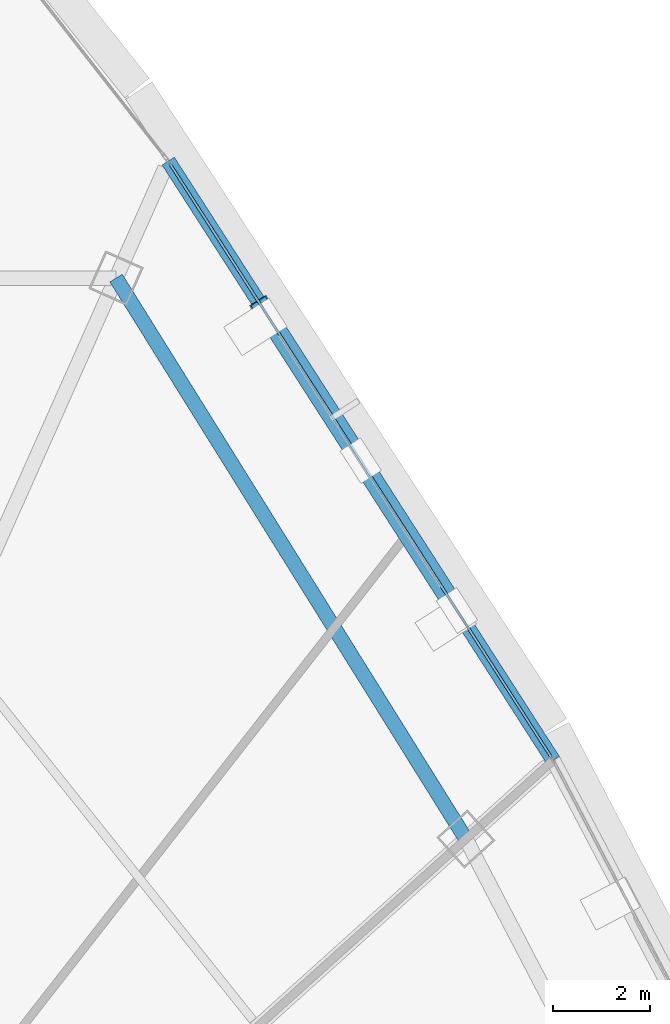
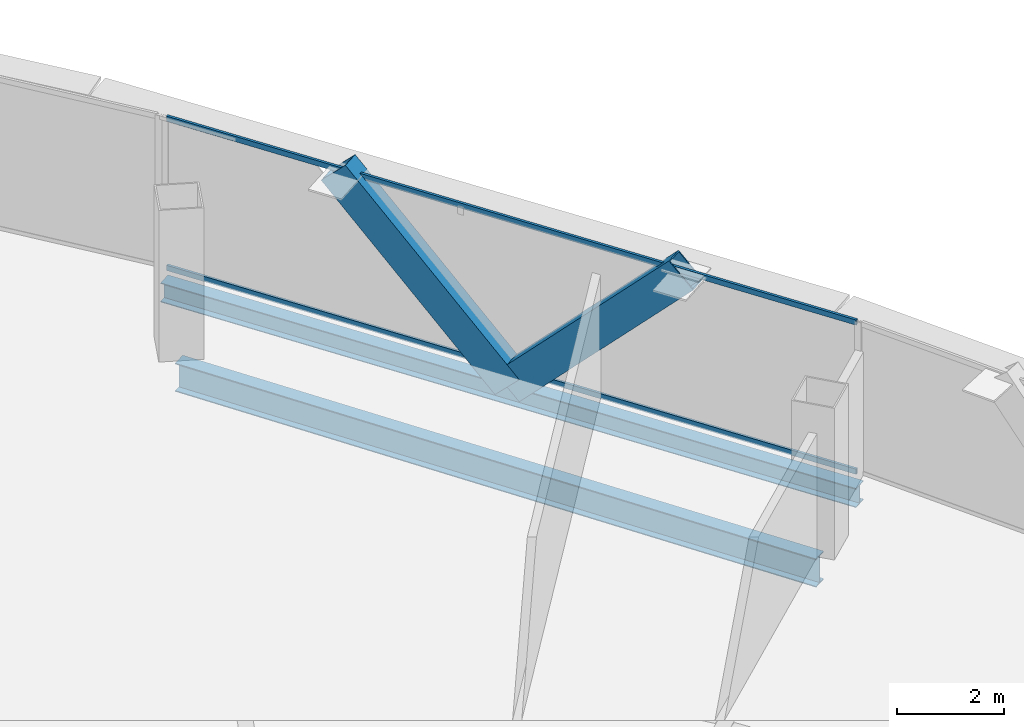
# One storey, part 22 of 36: 4 members, 2 beams, 1 element without a shape of its own.
"""IFC4 building model written with IfcOpenShell, lengths in metres."""

from ifc_helpers import new_model, si_unit, direction, frame, origin, origin_2d, place, context, subcontext, project, spatial, hollow_rectangle, i_section, extrude, source, transform, mapped, material, layer, layer_set, material_profile, profile_set, type_object, element, aggregate, save


model = new_model("IFC4")

# Units and contexts
model_context = context("Model", 3, precision=1e-05, world=origin(), true_north=direction((0.0, 1.0)))
body_context = subcontext(model_context, "Body", "Model", "MODEL_VIEW")
ifc_project = project(units=[si_unit("LENGTHUNIT", "METRE"), si_unit("AREAUNIT", "SQUARE_METRE"), si_unit("VOLUMEUNIT", "CUBIC_METRE"), si_unit("PLANEANGLEUNIT", "RADIAN"), si_unit("MASSUNIT", "GRAM", prefix="KILO"), si_unit("THERMODYNAMICTEMPERATUREUNIT", "KELVIN"), si_unit("POWERUNIT", "WATT")], contexts=[model_context])

# Site, building, storey
site_placement = place(None, origin())
site = spatial("IfcSite", under=ifc_project, at=site_placement, CompositionType="ELEMENT")
building_placement = place(site_placement, origin())
building = spatial("IfcBuilding", under=site, at=building_placement, Name="Yunzhuo Pagoda Commons", CompositionType="ELEMENT")
storey_placement = place(building_placement, frame((0.0, 0.0, 248.260009765625)))
storey = spatial("IfcBuildingStorey", under=building, at=storey_placement, Name="L62", CompositionType="ELEMENT", Elevation=248.260009765625)

# Beams
ifc_material_1 = material(Name="Structural steel Q355B", Category="steel")
ifc_material_profile_1 = material_profile(ifc_material_1, i_section(OverallWidth=0.300048828125, OverallDepth=0.64990234375, WebThickness=0.012939453125, FlangeThickness=0.02197265625, at=origin_2d()), Name="Structural steel Q355B")
ifc_profile_set_1 = profile_set([ifc_material_profile_1], Name="Structural steel Q355B")
beam_type_1 = type_object("IfcBeamType", Name="B-RG2 Beam HN 650x300x13x22", PredefinedType="BEAM", material=ifc_profile_set_1)
shared_shape_1 = source(origin(), body_context, "Body", "SweptSolid", [
    extrude(i_section(OverallWidth=0.300048828125, OverallDepth=0.64990234375, WebThickness=0.012939453125, FlangeThickness=0.02197265625, at=origin_2d()), origin(), (0.0, 0.0, 1.0), 13.615478515625),
])
beam_1_placement = place(storey_placement, frame((68.61181640625, 52.259033203125, -0.5849609375), z_axis=(-0.529178300485, 0.848510651846, 0.0), x_axis=(-0.848510651846, -0.529178300485, 0.0)))
element("IfcBeam", 1, at=beam_1_placement, inside=storey, type_object=beam_type_1, Name="L62 column-ring beam 7", PredefinedType="BEAM", context=body_context, shape_type="MappedRepresentation", body=[
    mapped(shared_shape_1, transform((0.0, 0.0, 0.0), scale=1.0)),
])
ifc_material_profile_2 = material_profile(ifc_material_1, i_section(OverallWidth=0.300048828125, OverallDepth=0.43994140625, WebThickness=0.010986328125, FlangeThickness=0.01806640625, at=origin_2d()), Name="Structural steel Q355B")
ifc_profile_set_2 = profile_set([ifc_material_profile_2], Name="Structural steel Q355B")
beam_type_2 = type_object("IfcBeamType", Name="B-SP2 Beam HM 440x300x11x18", PredefinedType="BEAM", material=ifc_profile_set_2)
shared_shape_2 = source(origin(), body_context, "Body", "SweptSolid", [
    extrude(i_section(OverallWidth=0.300048828125, OverallDepth=0.43994140625, WebThickness=0.010986328125, FlangeThickness=0.01806640625, at=origin_2d()), origin(), (0.0, 0.0, 1.0), 14.67138671875),
])
beam_2_placement = place(storey_placement, frame((70.41162109375, 53.879638671875, -0.47998046875), z_axis=(-0.540601148893, 0.841279024947, 0.0), x_axis=(-0.841279024947, -0.540601148893, 0.0)))
element("IfcBeam", 2, at=beam_2_placement, inside=storey, type_object=beam_type_2, Name="L62 facade edge spandrel beam F2.3", PredefinedType="BEAM", context=body_context, shape_type="MappedRepresentation", body=[
    mapped(shared_shape_2, transform((0.0, 0.0, 0.0), scale=1.0)),
])

# Members
ifc_material_profile_3 = material_profile(ifc_material_1, hollow_rectangle(XDim=0.39990234375, YDim=0.719970703125, WallThickness=0.02392578125, at=origin_2d()), Name="Structural steel Q355B")
ifc_profile_set_3 = profile_set([ifc_material_profile_3], Name="Structural steel Q355B")
member_type_1 = type_object("IfcMemberType", Name="M-DL2 Brace BOX 720x400x24", PredefinedType="BRACE", material=ifc_profile_set_3)
shared_shape_3 = source(origin(), body_context, "Body", "SweptSolid", [
    extrude(hollow_rectangle(XDim=0.39990234375, YDim=0.719970703125, WallThickness=0.02392578125, at=origin_2d()), origin(), (0.0, 0.0, 1.0), 5.2314453125),
])
for number, where, z_axis, x_axis, name in (
    (3, (66.44580078125, 60.051025390625, -0.260009765625), (0.379036831274, -0.58983581759, 0.713039121525), (0.841271456876, 0.540612926081, 0.0), "L62 facade diamond brace F2.3L"),
    (4, (66.44580078125, 60.051025390625, -0.260009765625), (-0.379036831274, 0.58983581759, 0.713039121525), (-0.841271456876, -0.540612926081, 0.0), "L62 facade diamond brace F2.3R"),
):
    element("IfcMember", number, at=place(storey_placement, frame(where, z_axis=z_axis, x_axis=x_axis)), inside=storey, type_object=member_type_1, Name=name, PredefinedType="BRACE", context=body_context, shape_type="MappedRepresentation", body=[
        mapped(shared_shape_3, transform((0.0, 0.0, 0.0), scale=1.0)),
    ])

# Curtain wall, members
ifc_material_2 = material(Name="Anodized aluminium 6063-T6", Category="aluminium")
ifc_layer = layer(ifc_material_2, 0.139892578125)
ifc_layer_set = layer_set([ifc_layer], Name="Anodized aluminium 6063-T6")
curtain_wall_type = type_object("IfcCurtainWallType", Name="CW-HI High-Zone Ribbon Curtain Wall", PredefinedType="NOTDEFINED", material=ifc_layer_set)
curtain_wall_placement = place(storey_placement, origin())
curtain_wall = element("IfcCurtainWall", 5, at=curtain_wall_placement, inside=storey, type_object=curtain_wall_type, Name="L62 curtain wall CW-L62-F2B4", PredefinedType="NOTDEFINED")
ifc_material_profile_4 = material_profile(ifc_material_2, hollow_rectangle(XDim=0.054931640625, YDim=0.1201171875, WallThickness=0.00341796875, at=origin_2d()), Name="Anodized aluminium 6063-T6")
ifc_profile_set_4 = profile_set([ifc_material_profile_4], Name="Anodized aluminium 6063-T6")
member_type_2 = type_object("IfcMemberType", Name="CW-HI-T Transom RHS 120x55x3.5", PredefinedType="USERDEFINED", material=ifc_profile_set_4)
shared_shape_4 = source(origin(), body_context, "Body", "SweptSolid", [
    extrude(hollow_rectangle(XDim=0.054931640625, YDim=0.1201171875, WallThickness=0.00341796875, at=origin_2d()), origin(), (0.0, 0.0, 1.0), 14.5517578125),
])
member_1_placement = place(storey_placement, frame((70.379150390625, 53.93017578125, 0.027587890625), z_axis=(-0.540605797284, 0.841276037899, 0.0), x_axis=(-0.841276037899, -0.540605797284, 0.0)))
member_1 = element("IfcMember", 6, at=member_1_placement, type_object=member_type_2, Name="CW transom 1.1", ObjectType="TRANSOM", PredefinedType="USERDEFINED", context=body_context, shape_type="MappedRepresentation", body=[
    mapped(shared_shape_4, transform((0.0, 0.0, 0.0), scale=1.0)),
])
member_2_placement = place(storey_placement, frame((70.379150390625, 53.93017578125, 3.4423828125), z_axis=(-0.540605797284, 0.841276037899, 0.0), x_axis=(-0.841276037899, -0.540605797284, 0.0)))
member_2 = element("IfcMember", 7, at=member_2_placement, type_object=member_type_2, Name="CW transom 1.2", ObjectType="TRANSOM", PredefinedType="USERDEFINED", context=body_context, shape_type="MappedRepresentation", body=[
    mapped(shared_shape_4, transform((0.0, 0.0, 0.0), scale=1.0)),
])
aggregate(curtain_wall, [member_1, member_2])

save(model, "model.ifc")
